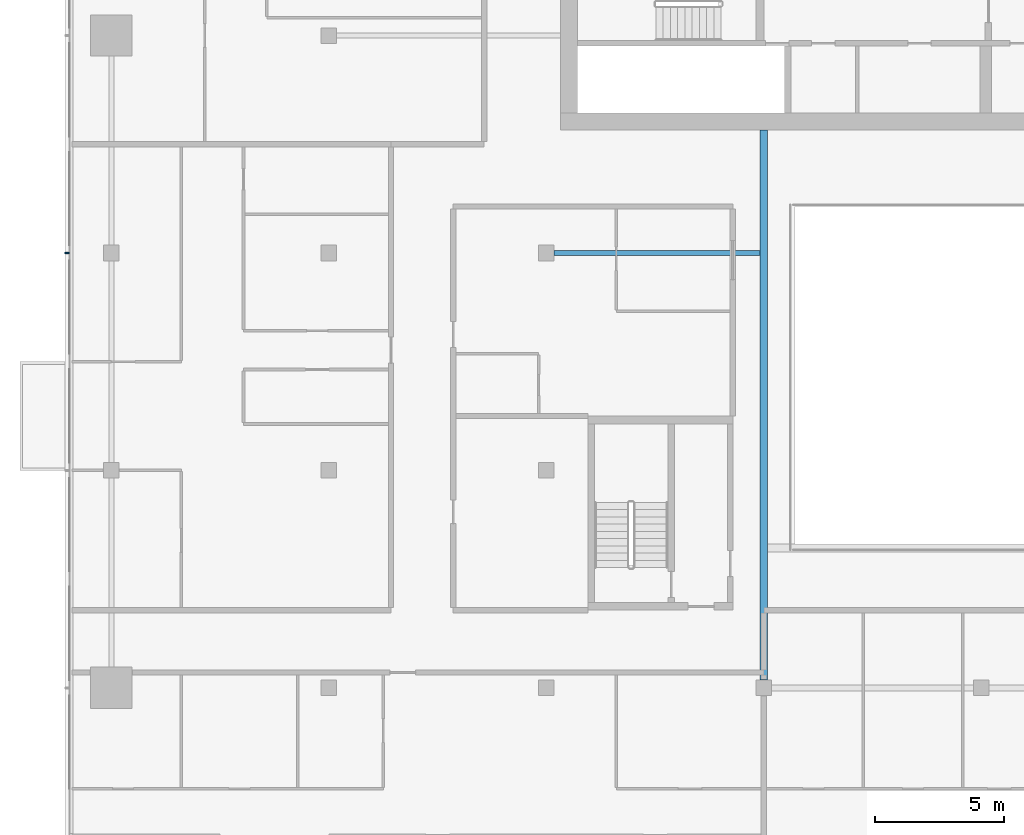
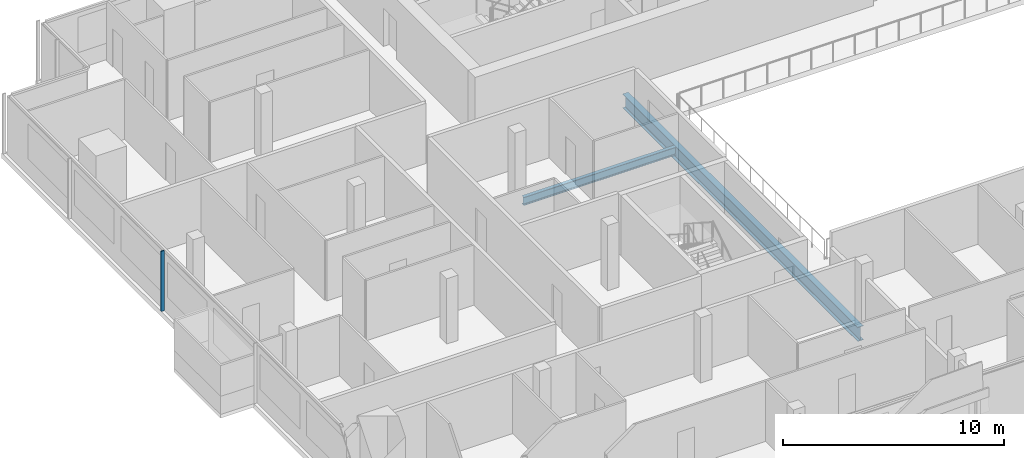
# One storey, part 4 of 29: 2 beams, 1 member, 1 element without a shape of its own.
"""IFC4 building model written with IfcOpenShell, lengths in metres."""

from ifc_helpers import new_model, si_unit, direction, frame, origin, origin_2d, place, context, subcontext, project, spatial, rectangle, i_section, extrude, material, material_profile, profile_set, type_object, element, aggregate, save


model = new_model("IFC4")

# Units and contexts
model_context = context("Model", 3, precision=1e-05, world=origin(), true_north=direction((0.0, 1.0)))
body_context = subcontext(model_context, "Body", "Model", "MODEL_VIEW")
ifc_project = project(units=[si_unit("LENGTHUNIT", "METRE"), si_unit("AREAUNIT", "SQUARE_METRE"), si_unit("VOLUMEUNIT", "CUBIC_METRE"), si_unit("PLANEANGLEUNIT", "RADIAN"), si_unit("MASSUNIT", "GRAM", prefix="KILO")], contexts=[model_context])

# Site, building, storey
site_placement = place(None, origin())
site = spatial("IfcSite", under=ifc_project, at=site_placement, CompositionType="ELEMENT")
building_placement = place(site_placement, origin())
building = spatial("IfcBuilding", under=site, at=building_placement, Name="Saffron Gate Tower", CompositionType="ELEMENT")
storey_placement = place(building_placement, frame((0.0, 0.0, 227.10009765625)))
storey = spatial("IfcBuildingStorey", under=building, at=storey_placement, Name="L55", CompositionType="ELEMENT", Elevation=227.10009765625)

# Beams
ifc_material_1 = material(Name="Structural steel S355", Category="steel")
ifc_material_profile_1 = material_profile(ifc_material_1, i_section(OverallWidth=0.300048828125, OverallDepth=0.7900390625, WebThickness=0.014892578125, FlangeThickness=0.028076171875, FilletRadius=0.030029296875, at=origin_2d()))
ifc_profile_set_1 = profile_set([ifc_material_profile_1], Name="Structural steel S355")
beam_type_1 = type_object("IfcBeamType", Name="B18 HEA 800", PredefinedType="BEAM", material=ifc_profile_set_1)
beam_1_placement = place(storey_placement, frame((75.0, 40.5, -0.675048828125), z_axis=(0.0, 1.0, 0.0), x_axis=(-1.0, 0.0, 0.0)))
element("IfcBeam", 1, at=beam_1_placement, inside=storey, type_object=beam_type_1, Name="B18 ATRIUM GIRDER", PredefinedType="BEAM", context=body_context, shape_type="SweptSolid", body=[
    extrude(i_section(OverallWidth=0.300048828125, OverallDepth=0.7900390625, WebThickness=0.014892578125, FlangeThickness=0.028076171875, FilletRadius=0.030029296875, at=origin_2d()), origin(), (0.0, 0.0, 1.0), 21.25),
])
ifc_material_profile_2 = material_profile(ifc_material_1, i_section(OverallWidth=0.18994140625, OverallDepth=0.449951171875, WebThickness=0.009521484375, FlangeThickness=0.0146484375, FilletRadius=0.02099609375, at=origin_2d()))
ifc_profile_set_2 = profile_set([ifc_material_profile_2], Name="Structural steel S355")
beam_type_2 = type_object("IfcBeamType", Name="B6 IPE 450", PredefinedType="BEAM", material=ifc_profile_set_2)
beam_2_placement = place(storey_placement, frame((66.89990234375, 57.0, -0.505126953125), z_axis=(1.0, 0.0, 0.0), x_axis=(0.0, 1.0, 0.0)))
element("IfcBeam", 2, at=beam_2_placement, inside=storey, type_object=beam_type_2, Name="B6 CORE TIE BEAM", PredefinedType="BEAM", context=body_context, shape_type="SweptSolid", body=[
    extrude(i_section(OverallWidth=0.18994140625, OverallDepth=0.449951171875, WebThickness=0.009521484375, FlangeThickness=0.0146484375, FilletRadius=0.02099609375, at=origin_2d()), origin(), (0.0, 0.0, 1.0), 7.9501953125),
])

# Curtain wall, member
ifc_material_2 = material(Name="Aluminium, bronze anodised", Category="aluminium")
curtain_wall_type = type_object("IfcCurtainWallType", Name="CWS2 curtain wall side facades", PredefinedType="NOTDEFINED", material=ifc_material_2)
curtain_wall_placement = place(storey_placement, origin())
curtain_wall = element("IfcCurtainWall", 3, at=curtain_wall_placement, inside=storey, type_object=curtain_wall_type, Name="CWS2 run 10", PredefinedType="NOTDEFINED")
ifc_material_profile_3 = material_profile(ifc_material_2, rectangle(XDim=0.159912109375, YDim=0.06005859375, at=origin_2d()))
ifc_profile_set_3 = profile_set([ifc_material_profile_3], Name="Aluminium, bronze anodised")
member_type = type_object("IfcMemberType", Name="CWS2 mullion 60x160", PredefinedType="MULLION", material=ifc_profile_set_3)
member_placement = place(storey_placement, frame((48.080078125, 57.0, 0.0), z_axis=(0.0, 0.0, 1.0), x_axis=(1.0, 0.0, 0.0)))
member = element("IfcMember", 4, at=member_placement, type_object=member_type, Name="CWS2 mullion 3", PredefinedType="MULLION", context=body_context, shape_type="SweptSolid", body=[
    extrude(rectangle(XDim=0.159912109375, YDim=0.06005859375, at=origin_2d()), origin(), (0.0, 0.0, 1.0), 3.31982421875),
])
aggregate(curtain_wall, [member])

save(model, "model.ifc")
